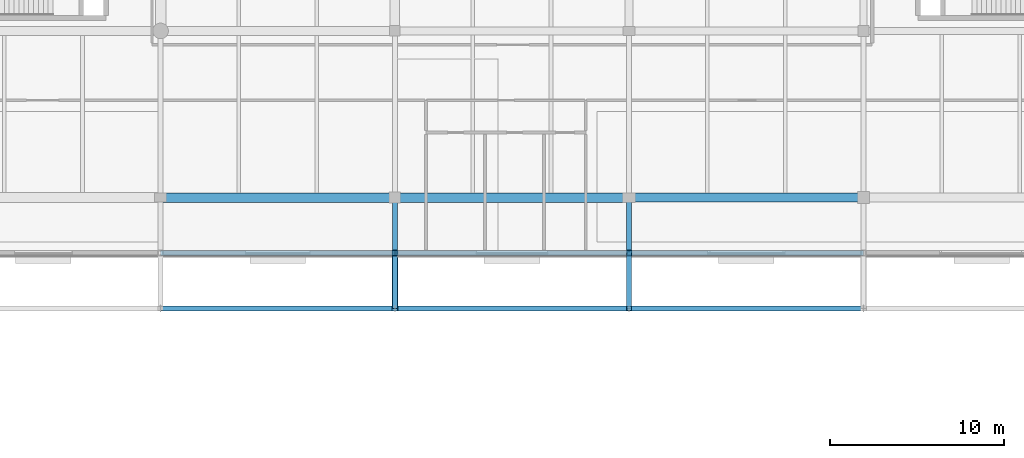
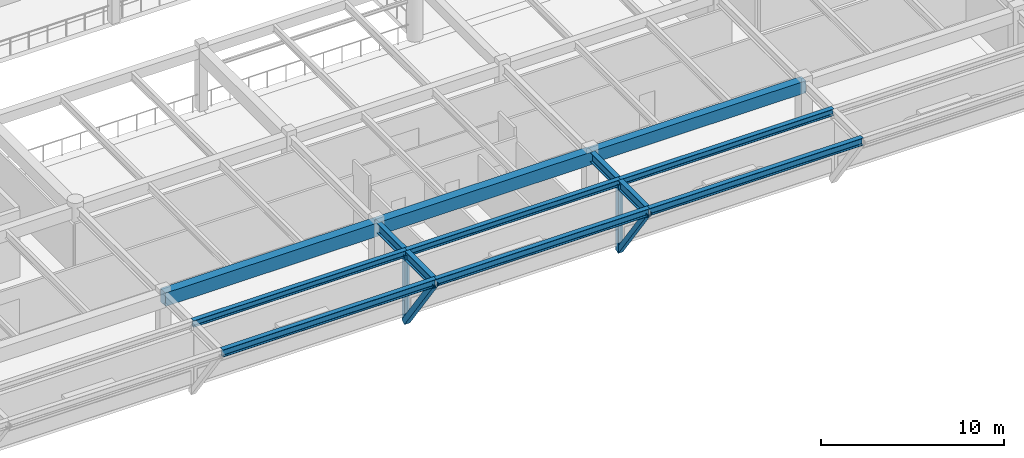
# One storey, part 19 of 109: 13 beams, 4 members.
"""IFC4 building model written with IfcOpenShell, lengths in metres."""

from ifc_helpers import new_model, si_unit, direction, frame, origin, origin_2d, place, context, subcontext, project, spatial, rectangle, hollow_rectangle, i_section, extrude, material, material_profile, profile_set, type_object, element, save


model = new_model("IFC4")

# Units and contexts
model_context = context("Model", 3, precision=1e-05, world=origin(), true_north=direction((0.0, 1.0)))
body_context = subcontext(model_context, "Body", "Model", "MODEL_VIEW")
ifc_project = project(units=[si_unit("LENGTHUNIT", "METRE"), si_unit("AREAUNIT", "SQUARE_METRE"), si_unit("VOLUMEUNIT", "CUBIC_METRE"), si_unit("PLANEANGLEUNIT", "RADIAN"), si_unit("MASSUNIT", "GRAM", prefix="KILO")], contexts=[model_context])

# Site, building, storey
site_placement = place(None, origin())
site = spatial("IfcSite", under=ifc_project, at=site_placement, CompositionType="ELEMENT")
building_placement = place(site_placement, origin())
building = spatial("IfcBuilding", under=site, at=building_placement, Name="Fikremerkos Civic Library", CompositionType="ELEMENT")
storey_placement = place(building_placement, frame((0.0, 0.0, 5.39990234375)))
storey = spatial("IfcBuildingStorey", under=building, at=storey_placement, Name="L01", CompositionType="ELEMENT", Elevation=5.39990234375)

# Members
ifc_material_1 = material(Name="Steel S355", Category="steel")
ifc_material_profile_1 = material_profile(ifc_material_1, hollow_rectangle(XDim=0.300048828125, YDim=0.300048828125, WallThickness=0.012451171875, at=origin_2d()), Name="SHS 300x300x12.5")
ifc_profile_set_1 = profile_set([ifc_material_profile_1], Name="Steel S355")
member_type_1 = type_object("IfcMemberType", Name="Frame post PST-01 SHS 300x300x12.5", PredefinedType="POST", material=ifc_profile_set_1)
for number, where, z_axis, x_axis, name in (
    (1, (73.199951171875, 8.800048828125, -0.64501953125), (0.0, 0.0, 1.0), (1.0, 0.0, 0.0), "Cantilever frame post PST-01 L01 X=73.2 Y=8.8"),
    (2, (86.699951171875, 8.800048828125, -0.64501953125), (0.0, 0.0, 1.0), (1.0, 0.0, 0.0), "Cantilever frame post PST-01 L01 X=86.7 Y=8.8"),
):
    element("IfcMember", number, at=place(storey_placement, frame(where, z_axis=z_axis, x_axis=x_axis)), inside=storey, type_object=member_type_1, Name=name, PredefinedType="POST", context=body_context, shape_type="SweptSolid", body=[
        extrude(hollow_rectangle(XDim=0.300048828125, YDim=0.300048828125, WallThickness=0.012451171875, at=origin_2d()), origin(), (0.0, 0.0, 1.0), 4.5),
    ])

# Beams
ifc_material_2 = material(Name="Concrete C40/50", Category="concrete")
ifc_material_profile_2 = material_profile(ifc_material_2, rectangle(XDim=0.550048828125, YDim=0.89990234375, at=origin_2d()), Name="RC 550x900")
ifc_profile_set_2 = profile_set([ifc_material_profile_2], Name="Concrete C40/50")
beam_type_1 = type_object("IfcBeamType", Name="Primary girder BM-02 RC 550x900", PredefinedType="BEAM", material=ifc_profile_set_2)
beam_1_placement = place(storey_placement, frame((59.699951171875, 12.0, 3.72998046875), z_axis=(1.0, 0.0, 0.0), x_axis=(0.0, 1.0, 0.0)))
element("IfcBeam", 3, at=beam_1_placement, inside=storey, type_object=beam_type_1, Name="Primary girder BM-02 L01 grid E", PredefinedType="BEAM", context=body_context, shape_type="SweptSolid", body=[
    extrude(rectangle(XDim=0.550048828125, YDim=0.89990234375, at=origin_2d()), origin(), (0.0, 0.0, 1.0), 13.5),
])
ifc_material_profile_3 = material_profile(ifc_material_2, rectangle(XDim=0.550048828125, YDim=0.85009765625, at=origin_2d()), Name="RC 550x850")
ifc_profile_set_3 = profile_set([ifc_material_profile_3], Name="Concrete C40/50")
beam_type_2 = type_object("IfcBeamType", Name="Primary girder BM-03 RC 550x850", PredefinedType="BEAM", material=ifc_profile_set_3)
beam_2_placement = place(storey_placement, frame((73.199951171875, 12.0, 3.755126953125), z_axis=(1.0, 0.0, 0.0), x_axis=(0.0, 1.0, 0.0)))
element("IfcBeam", 4, at=beam_2_placement, inside=storey, type_object=beam_type_2, Name="Primary girder BM-03 L01 grid E", PredefinedType="BEAM", context=body_context, shape_type="SweptSolid", body=[
    extrude(rectangle(XDim=0.550048828125, YDim=0.85009765625, at=origin_2d()), origin(), (0.0, 0.0, 1.0), 13.5),
])
ifc_material_profile_4 = material_profile(ifc_material_2, rectangle(XDim=0.5, YDim=0.800048828125, at=origin_2d()), Name="RC 500x800")
ifc_profile_set_4 = profile_set([ifc_material_profile_4], Name="Concrete C40/50")
beam_type_3 = type_object("IfcBeamType", Name="Primary girder BM-04 RC 500x800", PredefinedType="BEAM", material=ifc_profile_set_4)
beam_3_placement = place(storey_placement, frame((86.699951171875, 12.0, 3.780029296875), z_axis=(1.0, 0.0, 0.0), x_axis=(0.0, 1.0, 0.0)))
element("IfcBeam", 5, at=beam_3_placement, inside=storey, type_object=beam_type_3, Name="Primary girder BM-04 L01 grid E", PredefinedType="BEAM", context=body_context, shape_type="SweptSolid", body=[
    extrude(rectangle(XDim=0.5, YDim=0.800048828125, at=origin_2d()), origin(), (0.0, 0.0, 1.0), 13.5),
])
ifc_material_profile_5 = material_profile(ifc_material_1, i_section(OverallWidth=0.300048828125, OverallDepth=0.64990234375, WebThickness=0.01611328125, FlangeThickness=0.031005859375, FilletRadius=0.027099609375, at=origin_2d()), Name="HEB 650")
ifc_profile_set_5 = profile_set([ifc_material_profile_5], Name="Steel S355")
beam_type_4 = type_object("IfcBeamType", Name="Primary girder BM-12 HEB 650", PredefinedType="BEAM", material=ifc_profile_set_5)
for number, where, z_axis, x_axis, name in (
    (6, (73.199951171875, 12.0, 3.85498046875), (0.0, -1.0, 0.0), (1.0, 0.0, 0.0), "Cantilever girder BM-12 L01 X=73.2 #1"),
    (7, (73.199951171875, 8.800048828125, 3.85498046875), (0.0, -1.0, 0.0), (1.0, 0.0, 0.0), "Cantilever girder BM-12 L01 X=73.2 #2"),
    (8, (86.699951171875, 12.0, 3.85498046875), (0.0, -1.0, 0.0), (1.0, 0.0, 0.0), "Cantilever girder BM-12 L01 X=86.7 #1"),
    (9, (86.699951171875, 8.800048828125, 3.85498046875), (0.0, -1.0, 0.0), (1.0, 0.0, 0.0), "Cantilever girder BM-12 L01 X=86.7 #2"),
):
    element("IfcBeam", number, at=place(storey_placement, frame(where, z_axis=z_axis, x_axis=x_axis)), inside=storey, type_object=beam_type_4, Name=name, PredefinedType="BEAM", context=body_context, shape_type="SweptSolid", body=[
        extrude(i_section(OverallWidth=0.300048828125, OverallDepth=0.64990234375, WebThickness=0.01611328125, FlangeThickness=0.031005859375, FilletRadius=0.027099609375, at=origin_2d()), origin(), (0.0, 0.0, 1.0), 3.199951171875),
    ])

# Members
ifc_material_profile_6 = material_profile(ifc_material_1, hollow_rectangle(XDim=0.35009765625, YDim=0.35009765625, WallThickness=0.01611328125, at=origin_2d()), Name="SHS 350x350x16")
ifc_profile_set_6 = profile_set([ifc_material_profile_6], Name="Steel S355")
member_type_2 = type_object("IfcMemberType", Name="Raking strut STR-01 SHS 350x350x16", PredefinedType="STRUT", material=ifc_profile_set_6)
member_1_placement = place(storey_placement, frame((73.199951171875, 8.800048828125, -0.64501953125), z_axis=(0.0, -0.579517913329, 0.814959500914), x_axis=(1.0, 0.0, 0.0)))
element("IfcMember", 10, at=member_1_placement, inside=storey, type_object=member_type_2, Name="Raking cantilever strut STR-01 L01 X=73.2", PredefinedType="STRUT", context=body_context, shape_type="SweptSolid", body=[
    extrude(hollow_rectangle(XDim=0.35009765625, YDim=0.35009765625, WallThickness=0.01611328125, at=origin_2d()), origin(), (0.0, 0.0, 1.0), 5.521728515625),
])
ifc_material_profile_7 = material_profile(ifc_material_1, hollow_rectangle(XDim=0.300048828125, YDim=0.300048828125, WallThickness=0.01611328125, at=origin_2d()), Name="SHS 300x300x16")
ifc_profile_set_7 = profile_set([ifc_material_profile_7], Name="Steel S355")
member_type_3 = type_object("IfcMemberType", Name="Raking strut STR-02 SHS 300x300x16", PredefinedType="STRUT", material=ifc_profile_set_7)
member_2_placement = place(storey_placement, frame((86.699951171875, 8.800048828125, -0.64501953125), z_axis=(0.0, -0.579517913329, 0.814959500914), x_axis=(1.0, 0.0, 0.0)))
element("IfcMember", 11, at=member_2_placement, inside=storey, type_object=member_type_3, Name="Raking cantilever strut STR-02 L01 X=86.7", PredefinedType="STRUT", context=body_context, shape_type="SweptSolid", body=[
    extrude(hollow_rectangle(XDim=0.300048828125, YDim=0.300048828125, WallThickness=0.01611328125, at=origin_2d()), origin(), (0.0, 0.0, 1.0), 5.521728515625),
])

# Beams
ifc_material_profile_8 = material_profile(ifc_material_1, i_section(OverallWidth=0.300048828125, OverallDepth=0.489990234375, WebThickness=0.011962890625, FlangeThickness=0.02294921875, FilletRadius=0.027099609375, at=origin_2d()), Name="HEA 500")
ifc_profile_set_8 = profile_set([ifc_material_profile_8], Name="Steel S355")
beam_type_5 = type_object("IfcBeamType", Name="Spandrel edge beam SPB-04 HEA 500", PredefinedType="SPANDREL", material=ifc_profile_set_8)
for number, where, z_axis, x_axis, name in (
    (12, (59.699951171875, 5.60009765625, 3.93505859375), (1.0, 0.0, 0.0), (0.0, 1.0, 0.0), "Spandrel edge beam SPB-04 L01 Y=5.6 bay 4"),
    (13, (73.199951171875, 5.60009765625, 3.93505859375), (1.0, 0.0, 0.0), (0.0, 1.0, 0.0), "Spandrel edge beam SPB-04 L01 Y=5.6 bay 5"),
    (14, (86.699951171875, 5.60009765625, 3.93505859375), (1.0, 0.0, 0.0), (0.0, 1.0, 0.0), "Spandrel edge beam SPB-04 L01 Y=5.6 bay 6"),
):
    element("IfcBeam", number, at=place(storey_placement, frame(where, z_axis=z_axis, x_axis=x_axis)), inside=storey, type_object=beam_type_5, Name=name, PredefinedType="SPANDREL", context=body_context, shape_type="SweptSolid", body=[
        extrude(i_section(OverallWidth=0.300048828125, OverallDepth=0.489990234375, WebThickness=0.011962890625, FlangeThickness=0.02294921875, FilletRadius=0.027099609375, at=origin_2d()), origin(), (0.0, 0.0, 1.0), 13.5),
    ])
ifc_material_profile_9 = material_profile(ifc_material_1, i_section(OverallWidth=0.300048828125, OverallDepth=0.43994140625, WebThickness=0.011474609375, FlangeThickness=0.02099609375, FilletRadius=0.027099609375, at=origin_2d()), Name="HEA 450")
ifc_profile_set_9 = profile_set([ifc_material_profile_9], Name="Steel S355")
beam_type_6 = type_object("IfcBeamType", Name="Spandrel edge beam SPB-05 HEA 450", PredefinedType="SPANDREL", material=ifc_profile_set_9)
for number, where, z_axis, x_axis, name in (
    (15, (59.699951171875, 8.800048828125, 3.960205078125), (1.0, 0.0, 0.0), (0.0, 1.0, 0.0), "Spandrel edge beam SPB-05 L01 Y=8.8 bay 4"),
    (16, (73.199951171875, 8.800048828125, 3.960205078125), (1.0, 0.0, 0.0), (0.0, 1.0, 0.0), "Spandrel edge beam SPB-05 L01 Y=8.8 bay 5"),
    (17, (86.699951171875, 8.800048828125, 3.960205078125), (1.0, 0.0, 0.0), (0.0, 1.0, 0.0), "Spandrel edge beam SPB-05 L01 Y=8.8 bay 6"),
):
    element("IfcBeam", number, at=place(storey_placement, frame(where, z_axis=z_axis, x_axis=x_axis)), inside=storey, type_object=beam_type_6, Name=name, PredefinedType="SPANDREL", context=body_context, shape_type="SweptSolid", body=[
        extrude(i_section(OverallWidth=0.300048828125, OverallDepth=0.43994140625, WebThickness=0.011474609375, FlangeThickness=0.02099609375, FilletRadius=0.027099609375, at=origin_2d()), origin(), (0.0, 0.0, 1.0), 13.5),
    ])

save(model, "model.ifc")
